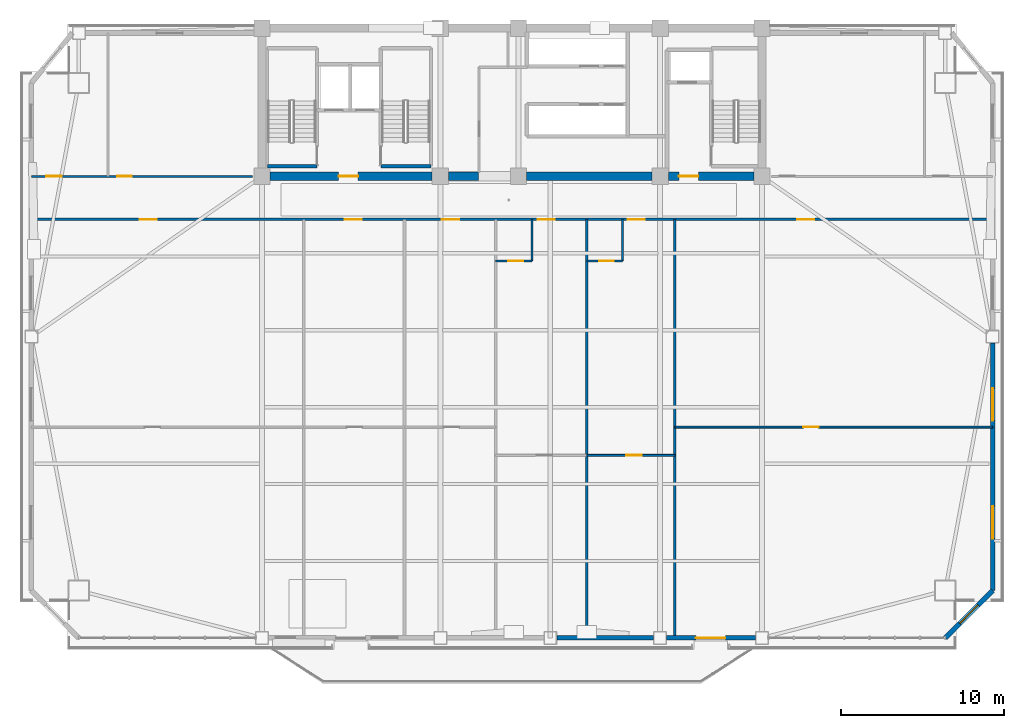
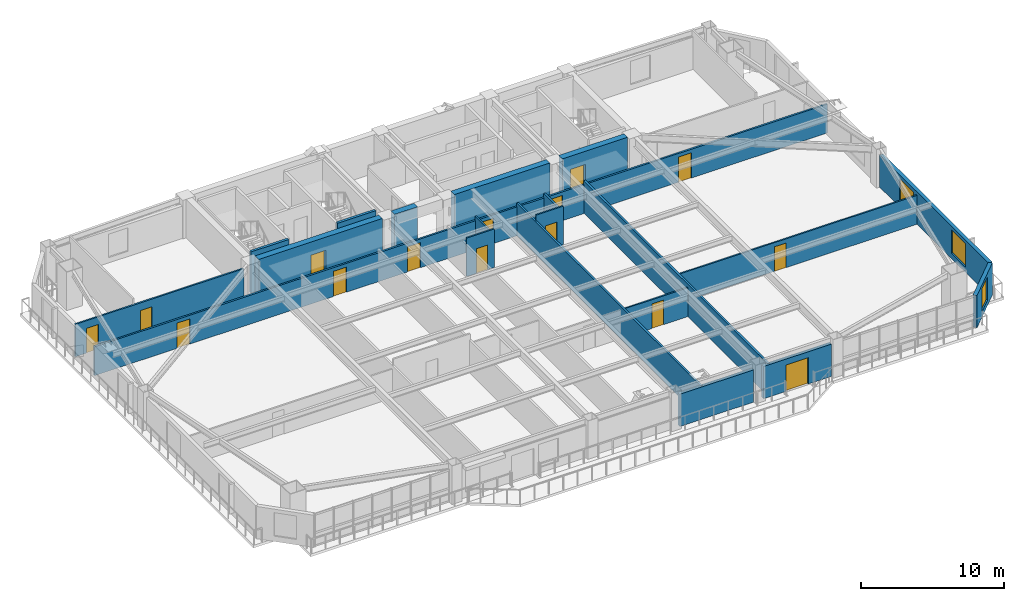
# One storey, part 8 of 16: 20 walls, 15 doors, 3 windows, 18 openings.
"""IFC4 building model written with IfcOpenShell, lengths in metres."""

from ifc_helpers import new_model, si_unit, direction, frame, frame_2d, origin, place, context, subcontext, project, spatial, rectangle, extrude, source, transform, mapped, material, layer, layer_set, type_object, element, fill, save


model = new_model("IFC4")

# Units and contexts
model_context = context("Model", 3, precision=1e-05, world=origin(), true_north=direction((0.0, 1.0)))
body_context = subcontext(model_context, "Body", "Model", "MODEL_VIEW")
ifc_project = project(units=[si_unit("LENGTHUNIT", "METRE"), si_unit("AREAUNIT", "SQUARE_METRE"), si_unit("VOLUMEUNIT", "CUBIC_METRE"), si_unit("PLANEANGLEUNIT", "RADIAN"), si_unit("MASSUNIT", "GRAM", prefix="KILO")], contexts=[model_context])

# Site, building, storey
site_placement = place(None, origin())
site = spatial("IfcSite", under=ifc_project, at=site_placement, CompositionType="ELEMENT")
building_placement = place(site_placement, origin())
building = spatial("IfcBuilding", under=site, at=building_placement, Name="Giltprow Tower", CompositionType="ELEMENT")
storey_placement = place(building_placement, frame((0.0, 0.0, 163.199951171875)))
storey = spatial("IfcBuildingStorey", under=building, at=storey_placement, Name="L40", CompositionType="ELEMENT", Elevation=163.199951171875)

# Wall, opening, window
ifc_material_1 = material(Name="Precast concrete C40", Category="concrete")
ifc_layer_1 = layer(ifc_material_1, 0.300048828125, Name="Precast concrete C40")
ifc_layer_set_1 = layer_set([ifc_layer_1], Name="Precast concrete C40")
wall_type_1 = type_object("IfcWallType", Name="EW-NOTCH-CHAMFER-300", PredefinedType="SOLIDWALL", material=ifc_layer_set_1)
wall_1_placement = place(storey_placement, frame((61.802978515625, 9.097900390625, 0.0), z_axis=(0.0, 0.0, 1.0), x_axis=(0.707106781187, 0.707106781187, 0.0)))
wall_1 = element("IfcWall", 1, at=wall_1_placement, inside=storey, type_object=wall_type_1, Name="L40 Corner Notch Wall SE", PredefinedType="SOLIDWALL", context=body_context, shape_type="SweptSolid", body=[
    extrude(rectangle(XDim=4.11962890625, YDim=0.300048828125, at=frame_2d((2.059814453125, 0.0))), origin(), (0.0, 0.0, 1.0), 2.75),
])
opening_1_placement = place(wall_1_placement, frame((1.260009765625, 0.0, 0.449951171875)))
opening_1 = element("IfcOpeningElement", 2, at=opening_1_placement, cuts=wall_1, Name="Opening WN17", PredefinedType="OPENING", context=body_context, shape_type="SweptSolid", body=[
    extrude(rectangle(XDim=1.60009765625, YDim=2.0, at=frame_2d((0.800048828125, 1.0))), frame((0.0, 0.159912109375, 0.0), z_axis=(0.0, -1.0, 0.0), x_axis=(1.0, 0.0, 0.0)), (0.0, 0.0, 1.0), 0.320068359375),
])
ifc_material_2 = material(Name="Insulated glass", Category="glass")
window_type_1 = type_object("IfcWindowType", Name="WN-COR-1600x2000", PartitioningType="SINGLE_PANEL", PredefinedType="WINDOW", material=ifc_material_2)
shared_shape_1 = source(origin(), body_context, "Body", "SweptSolid", [
    extrude(rectangle(XDim=1.60009765625, YDim=2.0, at=frame_2d((0.800048828125, 1.0))), frame((0.0, 0.030029296875, 0.0), z_axis=(0.0, -1.0, 0.0), x_axis=(1.0, 0.0, 0.0)), (0.0, 0.0, 1.0), 0.06005859375),
])
window_1_placement = place(opening_1_placement, origin())
window_1 = element("IfcWindow", 3, at=window_1_placement, inside=storey, type_object=window_type_1, Name="L40 Corner Notch Window SE", OverallHeight=2.0, OverallWidth=1.60009765625, PartitioningType="SINGLE_PANEL", PredefinedType="WINDOW", context=body_context, shape_type="MappedRepresentation", body=[
    mapped(shared_shape_1, transform((0.0, 0.0, 0.0), x_axis=(1.0, 0.0, 0.0), y_axis=(0.0, 1.0, 0.0), z_axis=(0.0, 0.0, 1.0), scale=1.0)),
])
fill(opening_1, window_1)

# Wall
ifc_layer_2 = layer(ifc_material_1, 0.280029296875, Name="Precast concrete C40")
ifc_layer_set_2 = layer_set([ifc_layer_2], Name="Precast concrete C40")
wall_type_2 = type_object("IfcWallType", Name="EW-TOW-BRONZE-280", PredefinedType="SOLIDWALL", material=ifc_layer_set_2)
wall_2_placement = place(storey_placement, frame((37.949951171875, 9.097900390625, 0.0), z_axis=(0.0, 0.0, 1.0), x_axis=(1.0, 0.0, 0.0)))
element("IfcWall", 4, at=wall_2_placement, inside=storey, type_object=wall_type_2, Name="L40 South Expressed Frame Wall 4", PredefinedType="SOLIDWALL", context=body_context, shape_type="SweptSolid", body=[
    extrude(rectangle(XDim=5.949951171875, YDim=0.280029296875, at=frame_2d((2.97509765625, 0.0))), origin(), (0.0, 0.0, 1.0), 2.75),
])

# Wall, opening, door
wall_3_placement = place(storey_placement, frame((44.699951171875, 9.097900390625, 0.0), z_axis=(0.0, 0.0, 1.0), x_axis=(1.0, 0.0, 0.0)))
wall_3 = element("IfcWall", 5, at=wall_3_placement, inside=storey, type_object=wall_type_2, Name="L40 South Expressed Frame Wall 5", PredefinedType="SOLIDWALL", context=body_context, shape_type="SweptSolid", body=[
    extrude(rectangle(XDim=5.449951171875, YDim=0.280029296875, at=frame_2d((2.72509765625, 0.0))), origin(), (0.0, 0.0, 1.0), 2.75),
])
opening_2_placement = place(wall_3_placement, frame((1.800048828125, 0.0, 0.0)))
opening_2 = element("IfcOpeningElement", 6, at=opening_2_placement, cuts=wall_3, Name="Opening ED25", PredefinedType="OPENING", context=body_context, shape_type="SweptSolid", body=[
    extrude(rectangle(XDim=1.800048828125, YDim=2.25, at=frame_2d((0.89990234375, 1.125))), frame((0.0, 0.14990234375, 0.0), z_axis=(0.0, -1.0, 0.0), x_axis=(1.0, 0.0, 0.0)), (0.0, 0.0, 1.0), 0.300048828125),
])
ifc_material_3 = material(Name="Anodized bronze and glass", Category="glass")
door_type_1 = type_object("IfcDoorType", Name="DR-BALC-SLIDE-1800", OperationType="SLIDING_TO_LEFT", PredefinedType="DOOR", material=ifc_material_3)
shared_shape_2 = source(origin(), body_context, "Body", "SweptSolid", [
    extrude(rectangle(XDim=1.800048828125, YDim=2.25, at=frame_2d((0.89990234375, 1.125))), frame((0.0, 0.02490234375, 0.0), z_axis=(0.0, -1.0, 0.0), x_axis=(1.0, 0.0, 0.0)), (0.0, 0.0, 1.0), 0.050048828125),
])
door_1_placement = place(opening_2_placement, origin())
door_1 = element("IfcDoor", 7, at=door_1_placement, inside=storey, type_object=door_type_1, Name="L40 Waterfront Balcony Sliding Door 2", OperationType="SLIDING_TO_LEFT", OverallHeight=2.25, OverallWidth=1.800048828125, PredefinedType="DOOR", context=body_context, shape_type="MappedRepresentation", body=[
    mapped(shared_shape_2, transform((0.0, 0.0, 0.0), x_axis=(1.0, 0.0, 0.0), y_axis=(0.0, 1.0, 0.0), z_axis=(0.0, 0.0, 1.0), scale=1.0)),
])
fill(opening_2, door_1)

# Wall, openings, windows
wall_4_placement = place(storey_placement, frame((64.716064453125, 12.010986328125, 0.0), z_axis=(0.0, 0.0, 1.0), x_axis=(0.0, 1.0, 0.0)))
wall_4 = element("IfcWall", 8, at=wall_4_placement, inside=storey, type_object=wall_type_2, Name="L40 E Wing Masonry Wall 1", PredefinedType="SOLIDWALL", context=body_context, shape_type="SweptSolid", body=[
    extrude(rectangle(XDim=15.18798828125, YDim=0.280029296875, at=frame_2d((7.593994140625, 0.0))), origin(), (0.0, 0.0, 1.0), 2.75),
])
opening_3_placement = place(wall_4_placement, frame((3.18896484375, 0.0, 0.449951171875)))
opening_3 = element("IfcOpeningElement", 9, at=opening_3_placement, cuts=wall_4, Name="Opening WN21", PredefinedType="OPENING", context=body_context, shape_type="SweptSolid", body=[
    extrude(rectangle(XDim=2.0, YDim=2.0, at=frame_2d((1.0, 1.0))), frame((0.0, 0.14990234375, 0.0), z_axis=(0.0, -1.0, 0.0), x_axis=(1.0, 0.0, 0.0)), (0.0, 0.0, 1.0), 0.300048828125),
])
opening_4_placement = place(wall_4_placement, frame((10.43798828125, 0.0, 0.449951171875)))
opening_4 = element("IfcOpeningElement", 10, at=opening_4_placement, cuts=wall_4, Name="Opening WN21", PredefinedType="OPENING", context=body_context, shape_type="SweptSolid", body=[
    extrude(rectangle(XDim=2.0, YDim=2.0, at=frame_2d((1.0, 1.0))), frame((0.0, 0.14990234375, 0.0), z_axis=(0.0, -1.0, 0.0), x_axis=(1.0, 0.0, 0.0)), (0.0, 0.0, 1.0), 0.300048828125),
])
window_type_2 = type_object("IfcWindowType", Name="WN-HTL-2000x2000", PartitioningType="DOUBLE_PANEL_VERTICAL", PredefinedType="WINDOW", material=ifc_material_2)
shared_shape_3 = source(origin(), body_context, "Body", "SweptSolid", [
    extrude(rectangle(XDim=2.0, YDim=2.0, at=frame_2d((1.0, 1.0))), frame((0.0, 0.030029296875, 0.0), z_axis=(0.0, -1.0, 0.0), x_axis=(1.0, 0.0, 0.0)), (0.0, 0.0, 1.0), 0.06005859375),
])
window_2_placement = place(opening_3_placement, origin())
window_2 = element("IfcWindow", 11, at=window_2_placement, inside=storey, type_object=window_type_2, Name="L40 E Wing Window 1-1A", OverallHeight=2.0, OverallWidth=2.0, PartitioningType="SINGLE_PANEL", PredefinedType="WINDOW", context=body_context, shape_type="MappedRepresentation", body=[
    mapped(shared_shape_3, transform((0.0, 0.0, 0.0), x_axis=(1.0, 0.0, 0.0), y_axis=(0.0, 1.0, 0.0), z_axis=(0.0, 0.0, 1.0), scale=1.0)),
])
fill(opening_3, window_2)
window_3_placement = place(opening_4_placement, origin())
window_3 = element("IfcWindow", 12, at=window_3_placement, inside=storey, type_object=window_type_2, Name="L40 E Wing Window 1-1B", OverallHeight=2.0, OverallWidth=2.0, PartitioningType="SINGLE_PANEL", PredefinedType="WINDOW", context=body_context, shape_type="MappedRepresentation", body=[
    mapped(shared_shape_3, transform((0.0, 0.0, 0.0), x_axis=(1.0, 0.0, 0.0), y_axis=(0.0, 1.0, 0.0), z_axis=(0.0, 0.0, 1.0), scale=1.0)),
])
fill(opening_4, window_3)

# Wall, openings, doors
ifc_material_4 = material(Name="Gypsum stud partition", Category="gypsum")
ifc_layer_3 = layer(ifc_material_4, 0.14990234375, Name="Gypsum stud partition")
ifc_layer_set_3 = layer_set([ifc_layer_3], Name="Gypsum stud partition")
wall_type_3 = type_object("IfcWallType", Name="IW-CORR-150", PredefinedType="PARTITIONING", material=ifc_layer_set_3)
wall_5_placement = place(storey_placement, frame((5.68408203125, 34.800048828125, 0.0), z_axis=(0.0, 0.0, 1.0), x_axis=(1.0, 0.0, 0.0)))
wall_5 = element("IfcWall", 13, at=wall_5_placement, inside=storey, type_object=wall_type_3, Name="L40 Hotel Guestroom Corridor Wall", PredefinedType="PARTITIONING", context=body_context, shape_type="SweptSolid", body=[
    extrude(rectangle(XDim=59.031982421875, YDim=0.14990234375, at=frame_2d((29.51611328125, 0.0))), origin(), (0.0, 0.0, 1.0), 2.455078125),
])
opening_5_placement = place(wall_5_placement, frame((6.64501953125, 0.0, 0.0)))
opening_5 = element("IfcOpeningElement", 14, at=opening_5_placement, cuts=wall_5, Name="Opening ID31", PredefinedType="OPENING", context=body_context, shape_type="SweptSolid", body=[
    extrude(rectangle(XDim=1.050048828125, YDim=2.14990234375, at=frame_2d((0.52490234375, 1.074951171875))), frame((0.0, 0.0849609375, 0.0), z_axis=(0.0, -1.0, 0.0), x_axis=(1.0, 0.0, 0.0)), (0.0, 0.0, 1.0), 0.169921875),
])
opening_6_placement = place(wall_5_placement, frame((19.240966796875, 0.0, 0.0)))
opening_6 = element("IfcOpeningElement", 15, at=opening_6_placement, cuts=wall_5, Name="Opening ID31", PredefinedType="OPENING", context=body_context, shape_type="SweptSolid", body=[
    extrude(rectangle(XDim=1.050048828125, YDim=2.14990234375, at=frame_2d((0.52490234375, 1.074951171875))), frame((0.0, 0.0849609375, 0.0), z_axis=(0.0, -1.0, 0.0), x_axis=(1.0, 0.0, 0.0)), (0.0, 0.0, 1.0), 0.169921875),
])
opening_7_placement = place(wall_5_placement, frame((25.212890625, 0.0, 0.0)))
opening_7 = element("IfcOpeningElement", 16, at=opening_7_placement, cuts=wall_5, Name="Opening ID31", PredefinedType="OPENING", context=body_context, shape_type="SweptSolid", body=[
    extrude(rectangle(XDim=1.050048828125, YDim=2.14990234375, at=frame_2d((0.52490234375, 1.074951171875))), frame((0.0, 0.0849609375, 0.0), z_axis=(0.0, -1.0, 0.0), x_axis=(1.0, 0.0, 0.0)), (0.0, 0.0, 1.0), 0.169921875),
])
opening_8_placement = place(wall_5_placement, frame((31.0859375, 0.0, 0.0)))
opening_8 = element("IfcOpeningElement", 17, at=opening_8_placement, cuts=wall_5, Name="Opening ID31", PredefinedType="OPENING", context=body_context, shape_type="SweptSolid", body=[
    extrude(rectangle(XDim=1.050048828125, YDim=2.14990234375, at=frame_2d((0.52490234375, 1.074951171875))), frame((0.0, 0.0849609375, 0.0), z_axis=(0.0, -1.0, 0.0), x_axis=(1.0, 0.0, 0.0)), (0.0, 0.0, 1.0), 0.169921875),
])
opening_9_placement = place(wall_5_placement, frame((36.632080078125, 0.0, 0.0)))
opening_9 = element("IfcOpeningElement", 18, at=opening_9_placement, cuts=wall_5, Name="Opening ID31", PredefinedType="OPENING", context=body_context, shape_type="SweptSolid", body=[
    extrude(rectangle(XDim=1.050048828125, YDim=2.14990234375, at=frame_2d((0.52490234375, 1.074951171875))), frame((0.0, 0.0849609375, 0.0), z_axis=(0.0, -1.0, 0.0), x_axis=(1.0, 0.0, 0.0)), (0.0, 0.0, 1.0), 0.169921875),
])
opening_10_placement = place(wall_5_placement, frame((47.02490234375, 0.0, 0.0)))
opening_10 = element("IfcOpeningElement", 19, at=opening_10_placement, cuts=wall_5, Name="Opening ID31", PredefinedType="OPENING", context=body_context, shape_type="SweptSolid", body=[
    extrude(rectangle(XDim=1.050048828125, YDim=2.14990234375, at=frame_2d((0.52490234375, 1.074951171875))), frame((0.0, 0.0849609375, 0.0), z_axis=(0.0, -1.0, 0.0), x_axis=(1.0, 0.0, 0.0)), (0.0, 0.0, 1.0), 0.169921875),
])
ifc_material_5 = material(Name="Engineered timber", Category="wood")
door_type_2 = type_object("IfcDoorType", Name="DR-SUITE-1050", OperationType="SINGLE_SWING_LEFT", PredefinedType="DOOR", material=ifc_material_5)
shared_shape_4 = source(origin(), body_context, "Body", "SweptSolid", [
    extrude(rectangle(XDim=1.050048828125, YDim=2.14990234375, at=frame_2d((0.52490234375, 1.074951171875))), frame((0.0, 0.02490234375, 0.0), z_axis=(0.0, -1.0, 0.0), x_axis=(1.0, 0.0, 0.0)), (0.0, 0.0, 1.0), 0.050048828125),
])
door_2_placement = place(opening_5_placement, origin())
door_2 = element("IfcDoor", 20, at=door_2_placement, inside=storey, type_object=door_type_2, Name="L40 Suite Reception Foyer Door", OperationType="SINGLE_SWING_RIGHT", OverallHeight=2.14990234375, OverallWidth=1.050048828125, PredefinedType="DOOR", context=body_context, shape_type="MappedRepresentation", body=[
    mapped(shared_shape_4, transform((0.0, 0.0, 0.0), x_axis=(1.0, 0.0, 0.0), y_axis=(0.0, 1.0, 0.0), z_axis=(0.0, 0.0, 1.0), scale=1.0)),
])
fill(opening_5, door_2)
door_3_placement = place(opening_6_placement, origin())
door_3 = element("IfcDoor", 21, at=door_3_placement, inside=storey, type_object=door_type_2, Name="L40 Suite Reception Foyer Door", OperationType="SINGLE_SWING_RIGHT", OverallHeight=2.14990234375, OverallWidth=1.050048828125, PredefinedType="DOOR", context=body_context, shape_type="MappedRepresentation", body=[
    mapped(shared_shape_4, transform((0.0, 0.0, 0.0), x_axis=(1.0, 0.0, 0.0), y_axis=(0.0, 1.0, 0.0), z_axis=(0.0, 0.0, 1.0), scale=1.0)),
])
fill(opening_6, door_3)
door_4_placement = place(opening_7_placement, origin())
door_4 = element("IfcDoor", 22, at=door_4_placement, inside=storey, type_object=door_type_2, Name="L40 Suite Reception Foyer Door", OperationType="SINGLE_SWING_RIGHT", OverallHeight=2.14990234375, OverallWidth=1.050048828125, PredefinedType="DOOR", context=body_context, shape_type="MappedRepresentation", body=[
    mapped(shared_shape_4, transform((0.0, 0.0, 0.0), x_axis=(1.0, 0.0, 0.0), y_axis=(0.0, 1.0, 0.0), z_axis=(0.0, 0.0, 1.0), scale=1.0)),
])
fill(opening_7, door_4)
door_5_placement = place(opening_8_placement, origin())
door_5 = element("IfcDoor", 23, at=door_5_placement, inside=storey, type_object=door_type_2, Name="L40 Hotel Room 4 Entry Door", OperationType="SINGLE_SWING_RIGHT", OverallHeight=2.14990234375, OverallWidth=1.050048828125, PredefinedType="DOOR", context=body_context, shape_type="MappedRepresentation", body=[
    mapped(shared_shape_4, transform((0.0, 0.0, 0.0), x_axis=(1.0, 0.0, 0.0), y_axis=(0.0, 1.0, 0.0), z_axis=(0.0, 0.0, 1.0), scale=1.0)),
])
fill(opening_8, door_5)
door_6_placement = place(opening_9_placement, origin())
door_6 = element("IfcDoor", 24, at=door_6_placement, inside=storey, type_object=door_type_2, Name="L40 Hotel Room 5 Entry Door", OperationType="SINGLE_SWING_LEFT", OverallHeight=2.14990234375, OverallWidth=1.050048828125, PredefinedType="DOOR", context=body_context, shape_type="MappedRepresentation", body=[
    mapped(shared_shape_4, transform((0.0, 0.0, 0.0), x_axis=(1.0, 0.0, 0.0), y_axis=(0.0, 1.0, 0.0), z_axis=(0.0, 0.0, 1.0), scale=1.0)),
])
fill(opening_9, door_6)
door_7_placement = place(opening_10_placement, origin())
door_7 = element("IfcDoor", 25, at=door_7_placement, inside=storey, type_object=door_type_2, Name="L40 Suite Reception Foyer Door", OperationType="SINGLE_SWING_RIGHT", OverallHeight=2.14990234375, OverallWidth=1.050048828125, PredefinedType="DOOR", context=body_context, shape_type="MappedRepresentation", body=[
    mapped(shared_shape_4, transform((0.0, 0.0, 0.0), x_axis=(1.0, 0.0, 0.0), y_axis=(0.0, 1.0, 0.0), z_axis=(0.0, 0.0, 1.0), scale=1.0)),
])
fill(opening_10, door_7)

# Walls
ifc_layer_4 = layer(ifc_material_4, 0.159912109375, Name="Gypsum stud partition")
ifc_layer_set_4 = layer_set([ifc_layer_4], Name="Gypsum stud partition")
wall_type_4 = type_object("IfcWallType", Name="IW-DEMISE-160", PredefinedType="PARTITIONING", material=ifc_layer_set_4)
for number, where, z_axis, x_axis, name in (
    (26, (39.800048828125, 9.097900390625, 0.0), (0.0, 0.0, 1.0), (0.0, 1.0, 0.0), "L40 Hotel Demising Wall 4"),
    (27, (45.199951171875, 9.097900390625, 0.0), (0.0, 0.0, 1.0), (0.0, 1.0, 0.0), "L40 Hotel Demising Wall 5"),
):
    element("IfcWall", number, at=place(storey_placement, frame(where, z_axis=z_axis, x_axis=x_axis)), inside=storey, type_object=wall_type_4, Name=name, PredefinedType="PARTITIONING", context=body_context, shape_type="SweptSolid", body=[
        extrude(rectangle(XDim=25.7021484375, YDim=0.159912109375, at=frame_2d((12.85107421875, 0.0))), origin(), (0.0, 0.0, 1.0), 2.755126953125),
    ])

# Wall, opening, door
ifc_layer_5 = layer(ifc_material_4, 0.1201171875, Name="Gypsum stud partition")
ifc_layer_set_5 = layer_set([ifc_layer_5], Name="Gypsum stud partition")
wall_type_5 = type_object("IfcWallType", Name="IW-ROOM-120", PredefinedType="PARTITIONING", material=ifc_layer_set_5)
wall_6_placement = place(storey_placement, frame((39.800048828125, 20.31494140625, 0.0), z_axis=(0.0, 0.0, 1.0), x_axis=(1.0, 0.0, 0.0)))
wall_6 = element("IfcWall", 28, at=wall_6_placement, inside=storey, type_object=wall_type_5, Name="L40 Suite Parlour Divider 5", PredefinedType="PARTITIONING", context=body_context, shape_type="SweptSolid", body=[
    extrude(rectangle(XDim=5.39990234375, YDim=0.1201171875, at=frame_2d((2.699951171875, 0.0))), origin(), (0.0, 0.0, 1.0), 2.455078125),
])
opening_11_placement = place(wall_6_placement, frame((2.425048828125, 0.0, 0.0)))
opening_11 = element("IfcOpeningElement", 29, at=opening_11_placement, cuts=wall_6, Name="Opening ID11", PredefinedType="OPENING", context=body_context, shape_type="SweptSolid", body=[
    extrude(rectangle(XDim=0.949951171875, YDim=2.10009765625, at=frame_2d((0.47509765625, 1.050048828125))), frame((0.0, 0.070068359375, 0.0), z_axis=(0.0, -1.0, 0.0), x_axis=(1.0, 0.0, 0.0)), (0.0, 0.0, 1.0), 0.14013671875),
])
door_type_3 = type_object("IfcDoorType", Name="DR-ROOM-950", OperationType="SINGLE_SWING_RIGHT", PredefinedType="DOOR", material=ifc_material_5)
shared_shape_5 = source(origin(), body_context, "Body", "SweptSolid", [
    extrude(rectangle(XDim=0.949951171875, YDim=2.10009765625, at=frame_2d((0.47509765625, 1.050048828125))), frame((0.0, 0.02490234375, 0.0), z_axis=(0.0, -1.0, 0.0), x_axis=(1.0, 0.0, 0.0)), (0.0, 0.0, 1.0), 0.050048828125),
])
door_8_placement = place(opening_11_placement, origin())
door_8 = element("IfcDoor", 30, at=door_8_placement, inside=storey, type_object=door_type_3, Name="L40 Harbour Parlour 5 Door", OperationType="SINGLE_SWING_LEFT", OverallHeight=2.10009765625, OverallWidth=0.949951171875, PredefinedType="DOOR", context=body_context, shape_type="MappedRepresentation", body=[
    mapped(shared_shape_5, transform((0.0, 0.0, 0.0), x_axis=(1.0, 0.0, 0.0), y_axis=(0.0, 1.0, 0.0), z_axis=(0.0, 0.0, 1.0), scale=1.0)),
])
fill(opening_11, door_8)

wall_7_placement = place(storey_placement, frame((45.199951171875, 22.049072265625, 0.0), z_axis=(0.0, 0.0, 1.0), x_axis=(1.0, 0.0, 0.0)))
wall_7 = element("IfcWall", 31, at=wall_7_placement, inside=storey, type_object=wall_type_5, Name="L40 Amenity Mid Wall 6", PredefinedType="PARTITIONING", context=body_context, shape_type="SweptSolid", body=[
    extrude(rectangle(XDim=19.51611328125, YDim=0.1201171875, at=frame_2d((9.758056640625, 0.0))), origin(), (0.0, 0.0, 1.0), 2.455078125),
])
opening_12_placement = place(wall_7_placement, frame((7.89208984375, 0.0, 0.0)))
opening_12 = element("IfcOpeningElement", 32, at=opening_12_placement, cuts=wall_7, Name="Opening ID11", PredefinedType="OPENING", context=body_context, shape_type="SweptSolid", body=[
    extrude(rectangle(XDim=0.949951171875, YDim=2.10009765625, at=frame_2d((0.47509765625, 1.050048828125))), frame((0.0, 0.070068359375, 0.0), z_axis=(0.0, -1.0, 0.0), x_axis=(1.0, 0.0, 0.0)), (0.0, 0.0, 1.0), 0.14013671875),
])
door_9_placement = place(opening_12_placement, origin())
door_9 = element("IfcDoor", 33, at=door_9_placement, inside=storey, type_object=door_type_3, Name="L40 Perfume Boutique Shop 4 Inner Door", OperationType="SINGLE_SWING_LEFT", OverallHeight=2.10009765625, OverallWidth=0.949951171875, PredefinedType="DOOR", context=body_context, shape_type="MappedRepresentation", body=[
    mapped(shared_shape_5, transform((0.0, 0.0, 0.0), x_axis=(1.0, 0.0, 0.0), y_axis=(0.0, 1.0, 0.0), z_axis=(0.0, 0.0, 1.0), scale=1.0)),
])
fill(opening_12, door_9)

# Walls
ifc_material_6 = material(Name="Concrete C40", Category="concrete")
ifc_layer_6 = layer(ifc_material_6, 0.199951171875, Name="Concrete C40")
ifc_layer_set_6 = layer_set([ifc_layer_6], Name="Concrete C40")
wall_type_6 = type_object("IfcWallType", Name="IW-STAIR-200", PredefinedType="SOLIDWALL", material=ifc_layer_set_6)
wall_8_placement = place(storey_placement, frame((20.169921875, 38.070068359375, 0.0), z_axis=(0.0, 0.0, 1.0), x_axis=(1.0, 0.0, 0.0)))
element("IfcWall", 34, at=wall_8_placement, inside=storey, type_object=wall_type_6, Name="L40 Stair ST-1 South Bearing Wall", PredefinedType="SOLIDWALL", context=body_context, shape_type="SweptSolid", body=[
    extrude(rectangle(XDim=3.050048828125, YDim=0.199951171875, at=frame_2d((1.52490234375, 0.0))), origin(), (0.0, 0.0, 1.0), 3.5),
])
wall_9_placement = place(storey_placement, frame((27.139892578125, 38.070068359375, 0.0), z_axis=(0.0, 0.0, 1.0), x_axis=(1.0, 0.0, 0.0)))
element("IfcWall", 35, at=wall_9_placement, inside=storey, type_object=wall_type_6, Name="L40 Stair ST-2 South Bearing Wall", PredefinedType="SOLIDWALL", context=body_context, shape_type="SweptSolid", body=[
    extrude(rectangle(XDim=3.080078125, YDim=0.199951171875, at=frame_2d((1.5400390625, 0.0))), origin(), (0.0, 0.0, 1.0), 3.5),
])

# Wall, opening, door
ifc_material_7 = material(Name="Concrete C30", Category="concrete")
ifc_layer_7 = layer(ifc_material_7, 0.1298828125, Name="Concrete C30")
ifc_layer_set_7 = layer_set([ifc_layer_7], Name="Concrete C30")
wall_type_7 = type_object("IfcWallType", Name="IW-WET-130", PredefinedType="PARTITIONING", material=ifc_layer_set_7)
wall_10_placement = place(storey_placement, frame((34.199951171875, 32.25, 0.0), z_axis=(0.0, 0.0, 1.0), x_axis=(1.0, 0.0, 0.0)))
wall_10 = element("IfcWall", 36, at=wall_10_placement, inside=storey, type_object=wall_type_7, Name="L40 En-Suite South Wall 4", PredefinedType="PARTITIONING", context=body_context, shape_type="SweptSolid", body=[
    extrude(rectangle(XDim=2.22998046875, YDim=0.1298828125, at=frame_2d((1.114990234375, 0.0))), origin(), (0.0, 0.0, 1.0), 3.27001953125),
])
opening_13_placement = place(wall_10_placement, frame((0.784912109375, 0.0, 0.0)))
opening_13 = element("IfcOpeningElement", 37, at=opening_13_placement, cuts=wall_10, Name="Opening ID15", PredefinedType="OPENING", context=body_context, shape_type="SweptSolid", body=[
    extrude(rectangle(XDim=0.89990234375, YDim=2.10009765625, at=frame_2d((0.449951171875, 1.050048828125))), frame((0.0, 0.074951171875, 0.0), z_axis=(0.0, -1.0, 0.0), x_axis=(1.0, 0.0, 0.0)), (0.0, 0.0, 1.0), 0.14990234375),
])
door_type_4 = type_object("IfcDoorType", Name="DR-WC-900", OperationType="SINGLE_SWING_LEFT", PredefinedType="DOOR", material=ifc_material_5)
shared_shape_6 = source(origin(), body_context, "Body", "SweptSolid", [
    extrude(rectangle(XDim=0.89990234375, YDim=2.10009765625, at=frame_2d((0.449951171875, 1.050048828125))), frame((0.0, 0.02490234375, 0.0), z_axis=(0.0, -1.0, 0.0), x_axis=(1.0, 0.0, 0.0)), (0.0, 0.0, 1.0), 0.050048828125),
])
door_10_placement = place(opening_13_placement, origin())
door_10 = element("IfcDoor", 38, at=door_10_placement, inside=storey, type_object=door_type_4, Name="L40 En-Suite 4 Door", OperationType="SINGLE_SWING_LEFT", OverallHeight=2.10009765625, OverallWidth=0.89990234375, PredefinedType="DOOR", context=body_context, shape_type="MappedRepresentation", body=[
    mapped(shared_shape_6, transform((0.0, 0.0, 0.0), x_axis=(1.0, 0.0, 0.0), y_axis=(0.0, 1.0, 0.0), z_axis=(0.0, 0.0, 1.0), scale=1.0)),
])
fill(opening_13, door_10)

# Wall
wall_11_placement = place(storey_placement, frame((36.429931640625, 32.25, 0.0), z_axis=(0.0, 0.0, 1.0), x_axis=(0.0, 1.0, 0.0)))
element("IfcWall", 39, at=wall_11_placement, inside=storey, type_object=wall_type_7, Name="L40 En-Suite East Wall 4", PredefinedType="PARTITIONING", context=body_context, shape_type="SweptSolid", body=[
    extrude(rectangle(XDim=2.550048828125, YDim=0.1298828125, at=frame_2d((1.27490234375, 0.0))), origin(), (0.0, 0.0, 1.0), 2.804931640625),
])

# Wall, opening, door
wall_12_placement = place(storey_placement, frame((39.800048828125, 32.25, 0.0), z_axis=(0.0, 0.0, 1.0), x_axis=(1.0, 0.0, 0.0)))
wall_12 = element("IfcWall", 40, at=wall_12_placement, inside=storey, type_object=wall_type_7, Name="L40 En-Suite South Wall 5", PredefinedType="PARTITIONING", context=body_context, shape_type="SweptSolid", body=[
    extrude(rectangle(XDim=2.176025390625, YDim=0.1298828125, at=frame_2d((1.087890625, 0.0))), origin(), (0.0, 0.0, 1.0), 3.27001953125),
])
opening_14_placement = place(wall_12_placement, frame((0.758056640625, 0.0, 0.0)))
opening_14 = element("IfcOpeningElement", 41, at=opening_14_placement, cuts=wall_12, Name="Opening ID15", PredefinedType="OPENING", context=body_context, shape_type="SweptSolid", body=[
    extrude(rectangle(XDim=0.89990234375, YDim=2.10009765625, at=frame_2d((0.449951171875, 1.050048828125))), frame((0.0, 0.074951171875, 0.0), z_axis=(0.0, -1.0, 0.0), x_axis=(1.0, 0.0, 0.0)), (0.0, 0.0, 1.0), 0.14990234375),
])
door_11_placement = place(opening_14_placement, origin())
door_11 = element("IfcDoor", 42, at=door_11_placement, inside=storey, type_object=door_type_4, Name="L40 En-Suite 5 Door", OperationType="SINGLE_SWING_RIGHT", OverallHeight=2.10009765625, OverallWidth=0.89990234375, PredefinedType="DOOR", context=body_context, shape_type="MappedRepresentation", body=[
    mapped(shared_shape_6, transform((0.0, 0.0, 0.0), x_axis=(1.0, 0.0, 0.0), y_axis=(0.0, 1.0, 0.0), z_axis=(0.0, 0.0, 1.0), scale=1.0)),
])
fill(opening_14, door_11)

# Wall
wall_13_placement = place(storey_placement, frame((41.97607421875, 32.25, 0.0), z_axis=(0.0, 0.0, 1.0), x_axis=(0.0, 1.0, 0.0)))
element("IfcWall", 43, at=wall_13_placement, inside=storey, type_object=wall_type_7, Name="L40 En-Suite East Wall 5", PredefinedType="PARTITIONING", context=body_context, shape_type="SweptSolid", body=[
    extrude(rectangle(XDim=2.550048828125, YDim=0.1298828125, at=frame_2d((1.27490234375, 0.0))), origin(), (0.0, 0.0, 1.0), 2.804931640625),
])

# Wall, openings, doors
wall_14_placement = place(storey_placement, frame((5.68408203125, 37.449951171875, 0.0), z_axis=(0.0, 0.0, 1.0), x_axis=(1.0, 0.0, 0.0)))
wall_14 = element("IfcWall", 44, at=wall_14_placement, inside=storey, type_object=wall_type_7, Name="L40 NW Wing South Wall", PredefinedType="PARTITIONING", context=body_context, shape_type="SweptSolid", body=[
    extrude(rectangle(XDim=13.56591796875, YDim=0.1298828125, at=frame_2d((6.782958984375, 0.0))), origin(), (0.0, 0.0, 1.0), 2.755126953125),
])
opening_15_placement = place(wall_14_placement, frame((0.89990234375, 0.0, 0.0)))
opening_15 = element("IfcOpeningElement", 45, at=opening_15_placement, cuts=wall_14, Name="Opening ID11", PredefinedType="OPENING", context=body_context, shape_type="SweptSolid", body=[
    extrude(rectangle(XDim=0.949951171875, YDim=2.10009765625, at=frame_2d((0.47509765625, 1.050048828125))), frame((0.0, 0.074951171875, 0.0), z_axis=(0.0, -1.0, 0.0), x_axis=(1.0, 0.0, 0.0)), (0.0, 0.0, 1.0), 0.14990234375),
])
opening_16_placement = place(wall_14_placement, frame((5.260009765625, 0.0, 0.0)))
opening_16 = element("IfcOpeningElement", 46, at=opening_16_placement, cuts=wall_14, Name="Opening ID15", PredefinedType="OPENING", context=body_context, shape_type="SweptSolid", body=[
    extrude(rectangle(XDim=0.89990234375, YDim=2.10009765625, at=frame_2d((0.449951171875, 1.050048828125))), frame((0.0, 0.074951171875, 0.0), z_axis=(0.0, -1.0, 0.0), x_axis=(1.0, 0.0, 0.0)), (0.0, 0.0, 1.0), 0.14990234375),
])
door_12_placement = place(opening_16_placement, origin())
door_12 = element("IfcDoor", 47, at=door_12_placement, inside=storey, type_object=door_type_4, Name="L40 NW Washroom Door", OperationType="SINGLE_SWING_LEFT", OverallHeight=2.10009765625, OverallWidth=0.89990234375, PredefinedType="DOOR", context=body_context, shape_type="MappedRepresentation", body=[
    mapped(shared_shape_6, transform((0.0, 0.0, 0.0), x_axis=(1.0, 0.0, 0.0), y_axis=(0.0, 1.0, 0.0), z_axis=(0.0, 0.0, 1.0), scale=1.0)),
])
fill(opening_16, door_12)
door_13_placement = place(opening_15_placement, origin())
door_13 = element("IfcDoor", 48, at=door_13_placement, inside=storey, type_object=door_type_3, Name="L40 Hotel Floor Butler Office West Door", OperationType="SINGLE_SWING_RIGHT", OverallHeight=2.10009765625, OverallWidth=0.949951171875, PredefinedType="DOOR", context=body_context, shape_type="MappedRepresentation", body=[
    mapped(shared_shape_5, transform((0.0, 0.0, 0.0), x_axis=(1.0, 0.0, 0.0), y_axis=(0.0, 1.0, 0.0), z_axis=(0.0, 0.0, 1.0), scale=1.0)),
])
fill(opening_15, door_13)

# Wall, opening, door
ifc_material_8 = material(Name="Concrete C50", Category="concrete")
ifc_layer_8 = layer(ifc_material_8, 0.5, Name="Concrete C50")
ifc_layer_set_8 = layer_set([ifc_layer_8], Name="Concrete C50")
wall_type_8 = type_object("IfcWallType", Name="SW-INT-500-C50", PredefinedType="SHEAR", material=ifc_layer_set_8)
wall_15_placement = place(storey_placement, frame((20.35009765625, 37.449951171875, 0.0), z_axis=(0.0, 0.0, 1.0), x_axis=(1.0, 0.0, 0.0)))
wall_15 = element("IfcWall", 49, at=wall_15_placement, inside=storey, type_object=wall_type_8, Name="L40 South Rear Core Shear Wall West", PredefinedType="SHEAR", context=body_context, shape_type="SweptSolid", body=[
    extrude(rectangle(XDim=9.949951171875, YDim=0.5, at=frame_2d((4.97509765625, 0.0))), origin(), (0.0, 0.0, 1.0), 3.27001953125),
])
opening_17_placement = place(wall_15_placement, frame((4.199951171875, 0.0, 0.0)))
opening_17 = element("IfcOpeningElement", 50, at=opening_17_placement, cuts=wall_15, Name="Opening ID19", PredefinedType="OPENING", context=body_context, shape_type="SweptSolid", body=[
    extrude(rectangle(XDim=1.199951171875, YDim=2.14990234375, at=frame_2d((0.60009765625, 1.074951171875))), frame((0.0, 0.260009765625, 0.0), z_axis=(0.0, -1.0, 0.0), x_axis=(1.0, 0.0, 0.0)), (0.0, 0.0, 1.0), 0.52001953125),
])
ifc_material_9 = material(Name="Steel fire leaf", Category="steel")
door_type_5 = type_object("IfcDoorType", Name="DR-FFLOBBY-1200", OperationType="SINGLE_SWING_RIGHT", PredefinedType="DOOR", material=ifc_material_9)
shared_shape_7 = source(origin(), body_context, "Body", "SweptSolid", [
    extrude(rectangle(XDim=1.199951171875, YDim=2.14990234375, at=frame_2d((0.60009765625, 1.074951171875))), frame((0.0, 0.02490234375, 0.0), z_axis=(0.0, -1.0, 0.0), x_axis=(1.0, 0.0, 0.0)), (0.0, 0.0, 1.0), 0.050048828125),
])
door_14_placement = place(opening_17_placement, origin())
door_14 = element("IfcDoor", 51, at=door_14_placement, inside=storey, type_object=door_type_5, Name="L40 West Firefighting Lobby Entry Door", OperationType="SINGLE_SWING_LEFT", OverallHeight=2.14990234375, OverallWidth=1.199951171875, PredefinedType="DOOR", context=body_context, shape_type="MappedRepresentation", body=[
    mapped(shared_shape_7, transform((0.0, 0.0, 0.0), x_axis=(1.0, 0.0, 0.0), y_axis=(0.0, 1.0, 0.0), z_axis=(0.0, 0.0, 1.0), scale=1.0)),
])
fill(opening_17, door_14)

# Walls
wall_16_placement = place(storey_placement, frame((31.300048828125, 37.449951171875, 0.0), z_axis=(0.0, 0.0, 1.0), x_axis=(1.0, 0.0, 0.0)))
element("IfcWall", 52, at=wall_16_placement, inside=storey, type_object=wall_type_8, Name="L40 South Rear Core Shear Wall Mid-West", PredefinedType="SHEAR", context=body_context, shape_type="SweptSolid", body=[
    extrude(rectangle(XDim=1.849853515625, YDim=0.5, at=frame_2d((0.9248046875, 0.0))), origin(), (0.0, 0.0, 1.0), 3.27001953125),
])
wall_17_placement = place(storey_placement, frame((36.10009765625, 37.449951171875, 0.0), z_axis=(0.0, 0.0, 1.0), x_axis=(1.0, 0.0, 0.0)))
element("IfcWall", 53, at=wall_17_placement, inside=storey, type_object=wall_type_8, Name="L40 South Rear Core Shear Wall Mid-East", PredefinedType="SHEAR", context=body_context, shape_type="SweptSolid", body=[
    extrude(rectangle(XDim=7.699951171875, YDim=0.5, at=frame_2d((3.85009765625, 0.0))), origin(), (0.0, 0.0, 1.0), 3.27001953125),
])

# Wall, opening, door
wall_18_placement = place(storey_placement, frame((44.800048828125, 37.449951171875, 0.0), z_axis=(0.0, 0.0, 1.0), x_axis=(1.0, 0.0, 0.0)))
wall_18 = element("IfcWall", 54, at=wall_18_placement, inside=storey, type_object=wall_type_8, Name="L40 South Rear Core Shear Wall East", PredefinedType="SHEAR", context=body_context, shape_type="SweptSolid", body=[
    extrude(rectangle(XDim=5.25, YDim=0.5, at=frame_2d((2.625, 0.0))), origin(), (0.0, 0.0, 1.0), 3.27001953125),
])
opening_18_placement = place(wall_18_placement, frame((0.64990234375, 0.0, 0.0)))
opening_18 = element("IfcOpeningElement", 55, at=opening_18_placement, cuts=wall_18, Name="Opening ID19", PredefinedType="OPENING", context=body_context, shape_type="SweptSolid", body=[
    extrude(rectangle(XDim=1.199951171875, YDim=2.14990234375, at=frame_2d((0.60009765625, 1.074951171875))), frame((0.0, 0.260009765625, 0.0), z_axis=(0.0, -1.0, 0.0), x_axis=(1.0, 0.0, 0.0)), (0.0, 0.0, 1.0), 0.52001953125),
])
door_15_placement = place(opening_18_placement, origin())
door_15 = element("IfcDoor", 56, at=door_15_placement, inside=storey, type_object=door_type_5, Name="L40 East Firefighting Lobby Entry Door", OperationType="SINGLE_SWING_RIGHT", OverallHeight=2.14990234375, OverallWidth=1.199951171875, PredefinedType="DOOR", context=body_context, shape_type="MappedRepresentation", body=[
    mapped(shared_shape_7, transform((0.0, 0.0, 0.0), x_axis=(1.0, 0.0, 0.0), y_axis=(0.0, 1.0, 0.0), z_axis=(0.0, 0.0, 1.0), scale=1.0)),
])
fill(opening_18, door_15)

save(model, "model.ifc")
